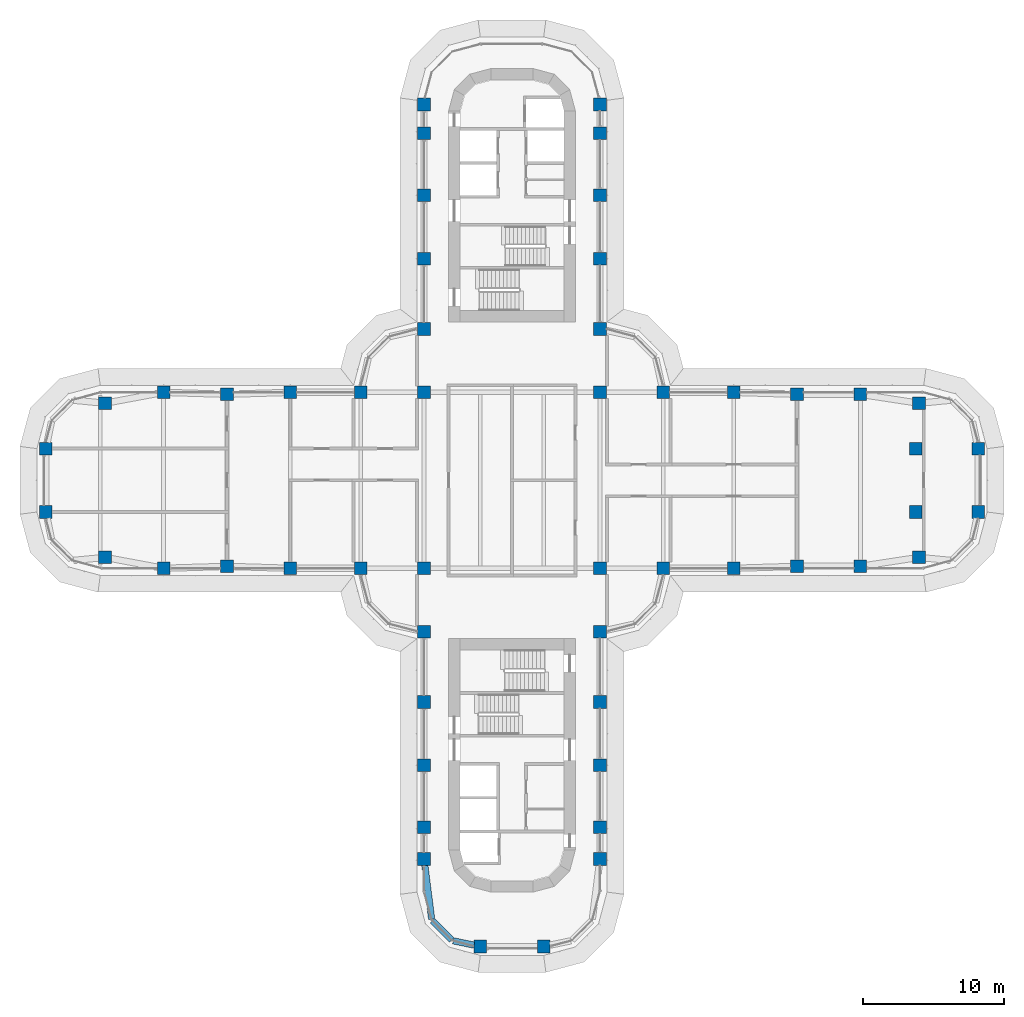
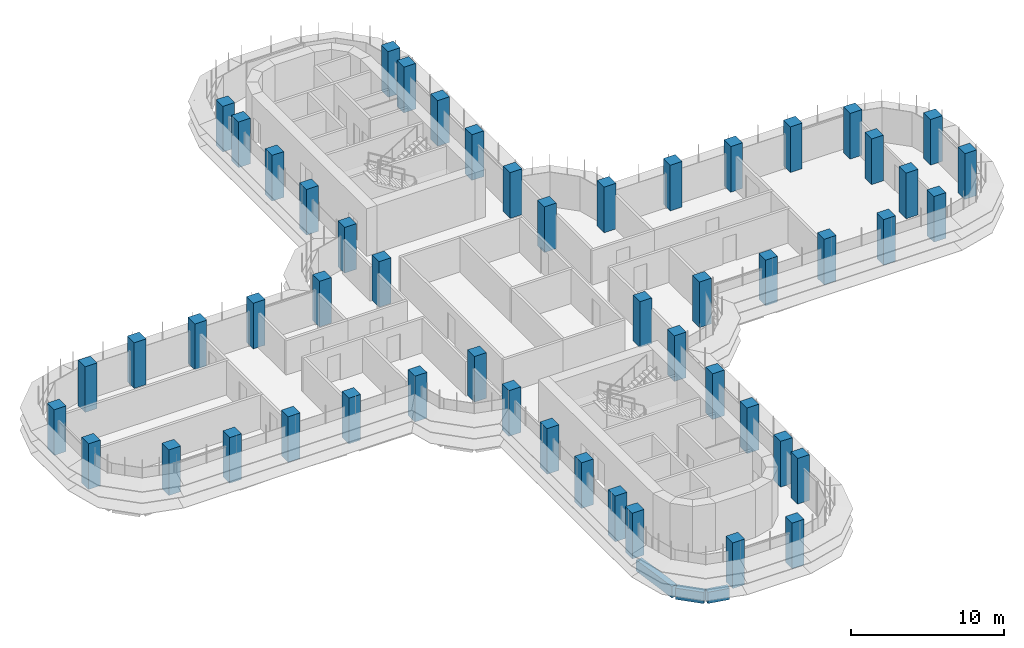
# One storey, part 1 of 22: 52 columns, 3 beams.
"""IFC4 building model written with IfcOpenShell, lengths in metres."""

from ifc_helpers import new_model, si_unit, direction, frame, origin, origin_2d, place, context, subcontext, project, spatial, rectangle, extrude, material, material_profile, profile_set, type_object, element, save


model = new_model("IFC4")

# Units and contexts
model_context = context("Model", 3, precision=1e-05, world=origin(), true_north=direction((0.0, 1.0)))
body_context = subcontext(model_context, "Body", "Model", "MODEL_VIEW")
ifc_project = project(units=[si_unit("LENGTHUNIT", "METRE"), si_unit("AREAUNIT", "SQUARE_METRE"), si_unit("VOLUMEUNIT", "CUBIC_METRE"), si_unit("PLANEANGLEUNIT", "RADIAN"), si_unit("MASSUNIT", "GRAM", prefix="KILO")], contexts=[model_context])

# Site, building, storey
site_placement = place(None, origin())
site = spatial("IfcSite", under=ifc_project, at=site_placement, CompositionType="ELEMENT")
building_placement = place(site_placement, origin())
building = spatial("IfcBuilding", under=site, at=building_placement, Name="Zarbagh Exchange Tower", CompositionType="ELEMENT")
storey_placement = place(building_placement, frame((0.0, 0.0, 105.60009765625)))
storey = spatial("IfcBuildingStorey", under=building, at=storey_placement, Name="L24", CompositionType="ELEMENT", Elevation=105.60009765625)

# Columns
ifc_material = material(Name="Concrete C60/75", Category="concrete")
ifc_material_profile_1 = material_profile(ifc_material, rectangle(XDim=0.89990234375, YDim=0.89990234375, at=origin_2d()), Name="RC column 900 x 900 C60/75")
ifc_profile_set_1 = profile_set([ifc_material_profile_1], Name="Concrete C60/75")
column_type = type_object("IfcColumnType", Name="RC column 900 x 900 C60/75", PredefinedType="COLUMN", material=ifc_profile_set_1)
for number, where, z_axis, x_axis, name in (
    (1, (-33.110107421875, -2.25, 0.0), (0.0, 0.0, 1.0), (1.0, 0.0, 0.0), "C3 10/S"),
    (2, (-33.110107421875, 2.25, 0.0), (0.0, 0.0, 1.0), (1.0, 0.0, 0.0), "C3 10/T"),
    (3, (-28.907958984375, -5.47509765625, 0.0), (0.0, 0.0, 1.0), (1.0, 0.0, 0.0), "C3 11/R"),
    (4, (-28.907958984375, 5.47509765625, 0.0), (0.0, 0.0, 1.0), (1.0, 0.0, 0.0), "C3 11/U"),
    (5, (-24.75, -6.25, 0.0), (0.0, 0.0, 1.0), (1.0, 0.0, 0.0), "C3 12/R"),
    (6, (-24.75, 6.25, 0.0), (0.0, 0.0, 1.0), (1.0, 0.0, 0.0), "C3 12/U"),
    (7, (-20.25, -6.110107421875, 0.0), (0.0, 0.0, 1.0), (1.0, 0.0, 0.0), "C3 13/R"),
    (8, (-20.25, 6.110107421875, 0.0), (0.0, 0.0, 1.0), (1.0, 0.0, 0.0), "C3 13/U"),
    (9, (-15.75, -6.25, 0.0), (0.0, 0.0, 1.0), (1.0, 0.0, 0.0), "C3 14/R"),
    (10, (-15.75, 6.25, 0.0), (0.0, 0.0, 1.0), (1.0, 0.0, 0.0), "C3 14/U"),
    (11, (-10.75, -6.25, 0.0), (0.0, 0.0, 1.0), (1.0, 0.0, 0.0), "C3 15/R"),
    (12, (-10.75, 6.25, 0.0), (0.0, 0.0, 1.0), (1.0, 0.0, 0.0), "C3 15/U"),
    (13, (-6.25, -26.89990234375, 0.0), (0.0, 0.0, 1.0), (1.0, 0.0, 0.0), "C3 16/L"),
    (14, (-6.25, -24.64990234375, 0.0), (0.0, 0.0, 1.0), (1.0, 0.0, 0.0), "C3 16/M"),
    (15, (-6.25, -20.25, 0.0), (0.0, 0.0, 1.0), (1.0, 0.0, 0.0), "C3 16/N"),
    (16, (-6.25, -15.75, 0.0), (0.0, 0.0, 1.0), (1.0, 0.0, 0.0), "C3 16/P"),
    (17, (-6.25, -10.75, 0.0), (0.0, 0.0, 1.0), (1.0, 0.0, 0.0), "C3 16/Q"),
    (18, (-6.25, -6.25, 0.0), (0.0, 0.0, 1.0), (1.0, 0.0, 0.0), "C3 16/R"),
    (19, (-6.25, 6.25, 0.0), (0.0, 0.0, 1.0), (1.0, 0.0, 0.0), "C3 16/U"),
    (20, (-6.25, 10.75, 0.0), (0.0, 0.0, 1.0), (1.0, 0.0, 0.0), "C3 16/V"),
    (21, (-6.25, 15.75, 0.0), (0.0, 0.0, 1.0), (1.0, 0.0, 0.0), "C3 16/W"),
    (22, (-6.25, 20.25, 0.0), (0.0, 0.0, 1.0), (1.0, 0.0, 0.0), "C3 16/X"),
    (23, (-6.25, 24.64990234375, 0.0), (0.0, 0.0, 1.0), (1.0, 0.0, 0.0), "C3 16/Y"),
    (24, (-6.25, 26.699951171875, 0.0), (0.0, 0.0, 1.0), (1.0, 0.0, 0.0), "C3 16/Z"),
    (25, (-2.25, -33.110107421875, 0.0), (0.0, 0.0, 1.0), (1.0, 0.0, 0.0), "C3 17/K"),
    (26, (2.25, -33.110107421875, 0.0), (0.0, 0.0, 1.0), (1.0, 0.0, 0.0), "C3 18/K"),
    (27, (6.25, -26.89990234375, 0.0), (0.0, 0.0, 1.0), (1.0, 0.0, 0.0), "C3 19/L"),
    (28, (6.25, -24.64990234375, 0.0), (0.0, 0.0, 1.0), (1.0, 0.0, 0.0), "C3 19/M"),
    (29, (6.25, -20.25, 0.0), (0.0, 0.0, 1.0), (1.0, 0.0, 0.0), "C3 19/N"),
    (30, (6.25, -15.75, 0.0), (0.0, 0.0, 1.0), (1.0, 0.0, 0.0), "C3 19/P"),
    (31, (6.25, -10.75, 0.0), (0.0, 0.0, 1.0), (1.0, 0.0, 0.0), "C3 19/Q"),
    (32, (6.25, -6.25, 0.0), (0.0, 0.0, 1.0), (1.0, 0.0, 0.0), "C3 19/R"),
    (33, (6.25, 6.25, 0.0), (0.0, 0.0, 1.0), (1.0, 0.0, 0.0), "C3 19/U"),
    (34, (6.25, 10.75, 0.0), (0.0, 0.0, 1.0), (1.0, 0.0, 0.0), "C3 19/V"),
    (35, (6.25, 15.75, 0.0), (0.0, 0.0, 1.0), (1.0, 0.0, 0.0), "C3 19/W"),
    (36, (6.25, 20.25, 0.0), (0.0, 0.0, 1.0), (1.0, 0.0, 0.0), "C3 19/X"),
    (37, (6.25, 24.64990234375, 0.0), (0.0, 0.0, 1.0), (1.0, 0.0, 0.0), "C3 19/Y"),
    (38, (6.25, 26.699951171875, 0.0), (0.0, 0.0, 1.0), (1.0, 0.0, 0.0), "C3 19/Z"),
    (39, (10.75, -6.25, 0.0), (0.0, 0.0, 1.0), (1.0, 0.0, 0.0), "C3 20/R"),
    (40, (10.75, 6.25, 0.0), (0.0, 0.0, 1.0), (1.0, 0.0, 0.0), "C3 20/U"),
    (41, (15.75, -6.25, 0.0), (0.0, 0.0, 1.0), (1.0, 0.0, 0.0), "C3 21/R"),
    (42, (15.75, 6.25, 0.0), (0.0, 0.0, 1.0), (1.0, 0.0, 0.0), "C3 21/U"),
    (43, (20.25, -6.110107421875, 0.0), (0.0, 0.0, 1.0), (1.0, 0.0, 0.0), "C3 22/R"),
    (44, (20.25, 6.110107421875, 0.0), (0.0, 0.0, 1.0), (1.0, 0.0, 0.0), "C3 22/U"),
    (45, (24.75, -6.110107421875, 0.0), (0.0, 0.0, 1.0), (1.0, 0.0, 0.0), "C3 23/R"),
    (46, (24.75, 6.110107421875, 0.0), (0.0, 0.0, 1.0), (1.0, 0.0, 0.0), "C3 23/U"),
    (47, (28.907958984375, -5.47509765625, 0.0), (0.0, 0.0, 1.0), (1.0, 0.0, 0.0), "C3 24/R"),
    (48, (28.669921875, -2.25, 0.0), (0.0, 0.0, 1.0), (1.0, 0.0, 0.0), "C3 24/S"),
    (49, (28.669921875, 2.25, 0.0), (0.0, 0.0, 1.0), (1.0, 0.0, 0.0), "C3 24/T"),
    (50, (28.907958984375, 5.47509765625, 0.0), (0.0, 0.0, 1.0), (1.0, 0.0, 0.0), "C3 24/U"),
    (51, (33.110107421875, -2.25, 0.0), (0.0, 0.0, 1.0), (1.0, 0.0, 0.0), "C3 25/S"),
    (52, (33.110107421875, 2.25, 0.0), (0.0, 0.0, 1.0), (1.0, 0.0, 0.0), "C3 25/T"),
):
    element("IfcColumn", number, at=place(storey_placement, frame(where, z_axis=z_axis, x_axis=x_axis)), inside=storey, type_object=column_type, Name=name, PredefinedType="COLUMN", context=body_context, shape_type="SweptSolid", body=[
        extrude(rectangle(XDim=0.89990234375, YDim=0.89990234375, at=origin_2d()), origin(), (0.0, 0.0, 1.0), 3.64990234375),
    ])

# Beams
ifc_material_profile_2 = material_profile(ifc_material, rectangle(XDim=0.449951171875, YDim=0.89990234375, at=origin_2d()), Name="RC spandrel beam 450 x 900 C60/75")
ifc_profile_set_2 = profile_set([ifc_material_profile_2], Name="Concrete C60/75")
beam_type = type_object("IfcBeamType", Name="RC spandrel beam 450 x 900 C60/75", PredefinedType="SPANDREL", material=ifc_profile_set_2)
beam_1_placement = place(storey_placement, frame((-2.690673828125, -33.01904296875, -0.60009765625), z_axis=(-0.979328675816, 0.202275417995, 0.0), x_axis=(-0.202275417995, -0.979328675816, 0.0)))
element("IfcBeam", 53, at=beam_1_placement, inside=storey, type_object=beam_type, Name="RC spandrel beam", PredefinedType="SPANDREL", context=body_context, shape_type="SweptSolid", body=[
    extrude(rectangle(XDim=0.449951171875, YDim=0.89990234375, at=origin_2d()), origin(), (0.0, 0.0, 1.0), 1.515869140625),
])
beam_2_placement = place(storey_placement, frame((-4.288818359375, -32.651123046875, -0.60009765625), z_axis=(-0.707106781187, 0.707106781187, 0.0), x_axis=(-0.707106781187, -0.707106781187, 0.0)))
element("IfcBeam", 54, at=beam_2_placement, inside=storey, type_object=beam_type, Name="RC spandrel beam", PredefinedType="SPANDREL", context=body_context, shape_type="SweptSolid", body=[
    extrude(rectangle(XDim=0.449951171875, YDim=0.89990234375, at=origin_2d()), origin(), (0.0, 0.0, 1.0), 1.9169921875),
])
beam_3_placement = place(storey_placement, frame((-5.70849609375, -31.164794921875, -0.60009765625), z_axis=(-0.12597055537, 0.992033980859, 0.0), x_axis=(-0.992033980859, -0.12597055537, 0.0)))
element("IfcBeam", 55, at=beam_3_placement, inside=storey, type_object=beam_type, Name="RC spandrel beam", PredefinedType="SPANDREL", context=body_context, shape_type="SweptSolid", body=[
    extrude(rectangle(XDim=0.449951171875, YDim=0.89990234375, at=origin_2d()), origin(), (0.0, 0.0, 1.0), 3.84912109375),
])

save(model, "model.ifc")
